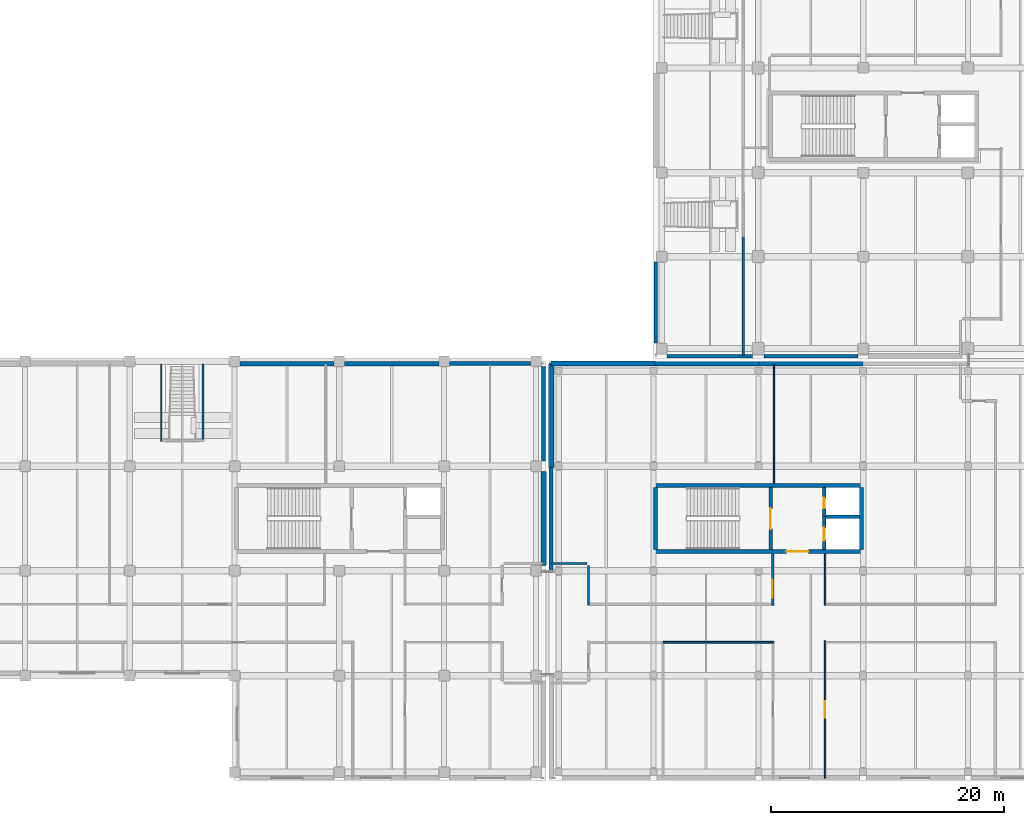
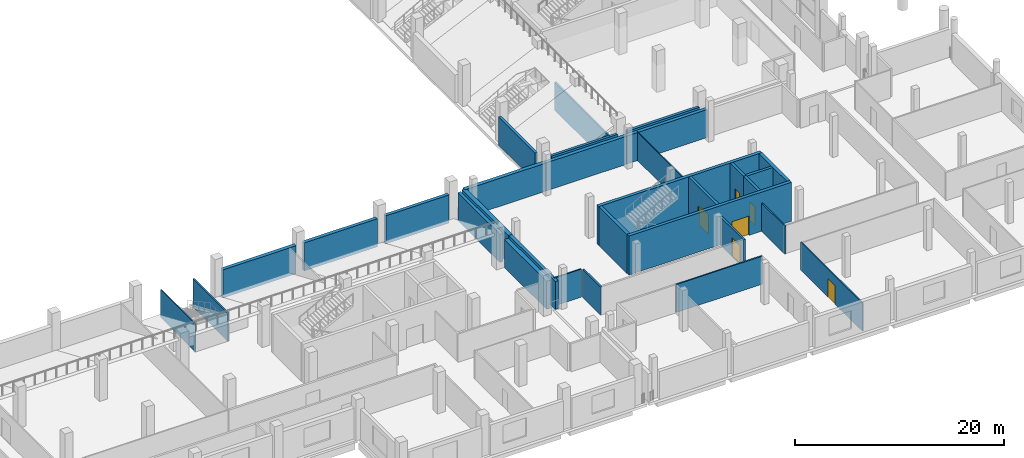
# One storey, part 61 of 100: 31 walls, 6 doors, 6 openings.
"""IFC4 building model written with IfcOpenShell, lengths in metres."""

from ifc_helpers import new_model, si_unit, direction, frame, frame_2d, origin, place, context, subcontext, project, spatial, rectangle, extrude, material, layer, layer_set, type_object, element, fill, save


model = new_model("IFC4")

# Units and contexts
model_context = context("Model", 3, precision=1e-05, world=origin(), true_north=direction((0.0, 1.0)))
body_context = subcontext(model_context, "Body", "Model", "MODEL_VIEW")
ifc_project = project(units=[si_unit("LENGTHUNIT", "METRE"), si_unit("AREAUNIT", "SQUARE_METRE"), si_unit("VOLUMEUNIT", "CUBIC_METRE"), si_unit("PLANEANGLEUNIT", "RADIAN"), si_unit("MASSUNIT", "GRAM", prefix="KILO"), si_unit("THERMODYNAMICTEMPERATUREUNIT", "KELVIN"), si_unit("POWERUNIT", "WATT")], contexts=[model_context])

# Site, building, storey
site_placement = place(None, origin())
site = spatial("IfcSite", under=ifc_project, at=site_placement, CompositionType="ELEMENT")
building_placement = place(site_placement, origin())
building = spatial("IfcBuilding", under=site, at=building_placement, Name="Sindhuravela Promenade Stadium", CompositionType="ELEMENT")
storey_placement = place(building_placement, frame((0.0, 0.0, 4.800048828125)))
storey = spatial("IfcBuildingStorey", under=building, at=storey_placement, Name="L01", CompositionType="ELEMENT", Elevation=4.800048828125)

# Walls
ifc_material_1 = material(Name="Terracotta clay brick masonry (15 MPa)", Category="masonry")
ifc_layer_1 = layer(ifc_material_1, 0.340087890625)
ifc_layer_set_1 = layer_set([ifc_layer_1], Name="Terracotta clay brick masonry (15 MPa)")
wall_type_1 = type_object("IfcWallType", Name="EX-WL-BRK340", PredefinedType="SOLIDWALL", material=ifc_layer_set_1)
wall_1_placement = place(storey_placement, frame((161.550048828125, 35.544921875, 0.0), z_axis=(0.0, 0.0, 1.0), x_axis=(0.0, -1.0, 0.0)))
element("IfcWall", 1, at=wall_1_placement, inside=storey, type_object=wall_type_1, Name="Exterior masonry wall EW06 SOUTH L01", PredefinedType="SOLIDWALL", context=body_context, shape_type="SweptSolid", body=[
    extrude(rectangle(XDim=8.08984375, YDim=0.340087890625, at=frame_2d((4.044921875, 0.0))), origin(), (0.0, 0.0, 1.0), 3.280029296875),
])
wall_2_placement = place(storey_placement, frame((162.199951171875, 18.0, 0.0), z_axis=(0.0, 0.0, 1.0), x_axis=(0.0, 1.0, 0.0)))
element("IfcWall", 2, at=wall_2_placement, inside=storey, type_object=wall_type_1, Name="Exterior masonry wall EW06 Pavilion SE L01", PredefinedType="SOLIDWALL", context=body_context, shape_type="SweptSolid", body=[
    extrude(rectangle(XDim=8.89990234375, YDim=0.340087890625, at=frame_2d((4.449951171875, 0.0))), origin(), (0.0, 0.0, 1.0), 3.280029296875),
])
ifc_layer_2 = layer(ifc_material_1, 0.360107421875)
ifc_layer_set_2 = layer_set([ifc_layer_2], Name="Terracotta clay brick masonry (15 MPa)")
wall_type_2 = type_object("IfcWallType", Name="EX-WL-BRK360", PredefinedType="SOLIDWALL", material=ifc_layer_set_2)
wall_3_placement = place(storey_placement, frame((153.455078125, 35.800048828125, 0.0), z_axis=(0.0, 0.0, 1.0), x_axis=(1.0, 0.0, 0.0)))
element("IfcWall", 3, at=wall_3_placement, inside=storey, type_object=wall_type_2, Name="Exterior masonry wall EW05 SOUTH L01", PredefinedType="SOLIDWALL", context=body_context, shape_type="SweptSolid", body=[
    extrude(rectangle(XDim=6.989990234375, YDim=0.360107421875, at=frame_2d((3.4951171875, 0.0))), origin(), (0.0, 0.0, 1.0), 3.280029296875),
])
ifc_layer_3 = layer(ifc_material_1, 0.3798828125)
ifc_layer_set_3 = layer_set([ifc_layer_3], Name="Terracotta clay brick masonry (15 MPa)")
wall_type_3 = type_object("IfcWallType", Name="EX-WL-BRK380", PredefinedType="SOLIDWALL", material=ifc_layer_set_3)
wall_4_placement = place(storey_placement, frame((144.455078125, 35.800048828125, 0.0), z_axis=(0.0, 0.0, 1.0), x_axis=(1.0, 0.0, 0.0)))
element("IfcWall", 4, at=wall_4_placement, inside=storey, type_object=wall_type_3, Name="Exterior masonry wall EW04 SOUTH L01", PredefinedType="SOLIDWALL", context=body_context, shape_type="SweptSolid", body=[
    extrude(rectangle(XDim=8.08984375, YDim=0.3798828125, at=frame_2d((4.044921875, 0.0))), origin(), (0.0, 0.0, 1.0), 3.280029296875),
])
wall_5_placement = place(storey_placement, frame((180.066650390625, 35.800048828125, 0.0), z_axis=(0.0, 0.0, 1.0), x_axis=(1.0, 0.0, 0.0)))
element("IfcWall", 5, at=wall_5_placement, inside=storey, type_object=wall_type_3, Name="Exterior masonry wall EW04 Pavilion SE L01", PredefinedType="SOLIDWALL", context=body_context, shape_type="SweptSolid", body=[
    extrude(rectangle(XDim=8.933349609375, YDim=0.3798828125, at=frame_2d((4.466796875, 0.0))), origin(), (0.0, 0.0, 1.0), 3.280029296875),
])
ifc_layer_4 = layer(ifc_material_1, 0.39990234375)
ifc_layer_set_4 = layer_set([ifc_layer_4], Name="Terracotta clay brick masonry (15 MPa)")
wall_type_4 = type_object("IfcWallType", Name="EX-WL-BRK400", PredefinedType="SOLIDWALL", material=ifc_layer_set_4)
wall_6_placement = place(storey_placement, frame((135.455078125, 35.800048828125, 0.0), z_axis=(0.0, 0.0, 1.0), x_axis=(1.0, 0.0, 0.0)))
element("IfcWall", 6, at=wall_6_placement, inside=storey, type_object=wall_type_4, Name="Exterior masonry wall EW03 SOUTH L01", PredefinedType="SOLIDWALL", context=body_context, shape_type="SweptSolid", body=[
    extrude(rectangle(XDim=8.08984375, YDim=0.39990234375, at=frame_2d((4.044921875, 0.0))), origin(), (0.0, 0.0, 1.0), 3.280029296875),
])
wall_7_placement = place(storey_placement, frame((171.13330078125, 35.800048828125, 0.0), z_axis=(0.0, 0.0, 1.0), x_axis=(1.0, 0.0, 0.0)))
element("IfcWall", 7, at=wall_7_placement, inside=storey, type_object=wall_type_4, Name="Exterior masonry wall EW03 Pavilion SE L01", PredefinedType="SOLIDWALL", context=body_context, shape_type="SweptSolid", body=[
    extrude(rectangle(XDim=8.933349609375, YDim=0.39990234375, at=frame_2d((4.466796875, 0.0))), origin(), (0.0, 0.0, 1.0), 3.280029296875),
])
ifc_layer_5 = layer(ifc_material_1, 0.419921875)
ifc_layer_set_5 = layer_set([ifc_layer_5], Name="Terracotta clay brick masonry (15 MPa)")
wall_type_5 = type_object("IfcWallType", Name="EX-WL-BRK420", PredefinedType="SOLIDWALL", material=ifc_layer_set_5)
wall_8_placement = place(storey_placement, frame((162.199951171875, 35.800048828125, 0.0), z_axis=(0.0, 0.0, 1.0), x_axis=(1.0, 0.0, 0.0)))
element("IfcWall", 8, at=wall_8_placement, inside=storey, type_object=wall_type_5, Name="Exterior masonry wall EW02 Pavilion SE L01", PredefinedType="SOLIDWALL", context=body_context, shape_type="SweptSolid", body=[
    extrude(rectangle(XDim=8.933349609375, YDim=0.419921875, at=frame_2d((4.466796875, 0.0))), origin(), (0.0, 0.0, 1.0), 3.280029296875),
])
ifc_layer_6 = layer(ifc_material_1, 0.4599609375)
ifc_layer_set_6 = layer_set([ifc_layer_6], Name="Terracotta clay brick masonry (15 MPa)")
wall_type_6 = type_object("IfcWallType", Name="EX-WL-BRK460", PredefinedType="SOLIDWALL", material=ifc_layer_set_6)
wall_9_placement = place(storey_placement, frame((161.550048828125, 26.544921875, 0.0), z_axis=(0.0, 0.0, 1.0), x_axis=(0.0, -1.0, 0.0)))
element("IfcWall", 9, at=wall_9_placement, inside=storey, type_object=wall_type_6, Name="Exterior masonry wall EW01 SOUTH L01", PredefinedType="SOLIDWALL", context=body_context, shape_type="SweptSolid", body=[
    extrude(rectangle(XDim=8.08984375, YDim=0.4599609375, at=frame_2d((4.044921875, 0.0))), origin(), (0.0, 0.0, 1.0), 3.280029296875),
])
wall_10_placement = place(storey_placement, frame((162.199951171875, 26.89990234375, 0.0), z_axis=(0.0, 0.0, 1.0), x_axis=(0.0, 1.0, 0.0)))
element("IfcWall", 10, at=wall_10_placement, inside=storey, type_object=wall_type_6, Name="Exterior masonry wall EW01 Pavilion SE L01", PredefinedType="SOLIDWALL", context=body_context, shape_type="SweptSolid", body=[
    extrude(rectangle(XDim=8.900146484375, YDim=0.4599609375, at=frame_2d((4.4501953125, 0.0))), origin(), (0.0, 0.0, 1.0), 3.280029296875),
])
ifc_material_2 = material(Name="Dholpur sandstone ashlar (45 MPa)", Category="masonry")
ifc_layer_7 = layer(ifc_material_2, 0.2900390625)
ifc_layer_set_7 = layer_set([ifc_layer_7], Name="Dholpur sandstone ashlar (45 MPa)")
wall_type_7 = type_object("IfcWallType", Name="EX-WL-SND290", PredefinedType="SOLIDWALL", material=ifc_layer_set_7)
wall_11_placement = place(storey_placement, frame((171.199951171875, 37.554931640625, 0.0), z_axis=(0.0, 0.0, 1.0), x_axis=(0.0, 1.0, 0.0)))
element("IfcWall", 11, at=wall_11_placement, inside=storey, type_object=wall_type_7, Name="Exterior masonry wall EW10 EAST L01", PredefinedType="SOLIDWALL", context=body_context, shape_type="SweptSolid", body=[
    extrude(rectangle(XDim=6.989990234375, YDim=0.2900390625, at=frame_2d((3.4951171875, 0.0))), origin(), (0.0, 0.0, 1.0), 3.280029296875),
])
wall_12_placement = place(storey_placement, frame((179.4951171875, 36.449951171875, 0.0), z_axis=(0.0, 0.0, 1.0), x_axis=(-1.0, 0.0, 0.0)))
element("IfcWall", 12, at=wall_12_placement, inside=storey, type_object=wall_type_7, Name="Exterior masonry wall EW10 EAST L01", PredefinedType="SOLIDWALL", context=body_context, shape_type="SweptSolid", body=[
    extrude(rectangle(XDim=7.340087890625, YDim=0.2900390625, at=frame_2d((3.669921875, 0.0))), origin(), (0.0, 0.0, 1.0), 3.280029296875),
])
ifc_layer_8 = layer(ifc_material_2, 0.31005859375)
ifc_layer_set_8 = layer_set([ifc_layer_8], Name="Dholpur sandstone ashlar (45 MPa)")
wall_type_8 = type_object("IfcWallType", Name="EX-WL-SND310", PredefinedType="SOLIDWALL", material=ifc_layer_set_8)
wall_13_placement = place(storey_placement, frame((188.544921875, 36.449951171875, 0.0), z_axis=(0.0, 0.0, 1.0), x_axis=(-1.0, 0.0, 0.0)))
element("IfcWall", 13, at=wall_13_placement, inside=storey, type_object=wall_type_8, Name="Exterior masonry wall EW09 EAST L01", PredefinedType="SOLIDWALL", context=body_context, shape_type="SweptSolid", body=[
    extrude(rectangle(XDim=8.0400390625, YDim=0.31005859375, at=frame_2d((4.02001953125, 0.0))), origin(), (0.0, 0.0, 1.0), 3.280029296875),
])
ifc_material_3 = material(Name="Fire-rated gypsum partition board", Category="gypsum")
ifc_layer_9 = layer(ifc_material_3, 0.110107421875)
ifc_layer_set_9 = layer_set([ifc_layer_9], Name="Fire-rated gypsum partition board")
wall_type_9 = type_object("IfcWallType", Name="IN-WL-PAR110", PredefinedType="PARTITIONING", material=ifc_layer_set_9)
wall_14_placement = place(storey_placement, frame((128.699951171875, 35.760009765625, 0.0), z_axis=(0.0, 0.0, 1.0), x_axis=(0.0, -1.0, 0.0)))
element("IfcWall", 14, at=wall_14_placement, inside=storey, type_object=wall_type_9, Name="Interior partition IW06 SOUTH L01", PredefinedType="PARTITIONING", context=body_context, shape_type="SweptSolid", body=[
    extrude(rectangle(XDim=6.639892578125, YDim=0.110107421875, at=frame_2d((3.31982421875, 0.0))), origin(), (0.0, 0.0, 1.0), 3.280029296875),
])
wall_15_placement = place(storey_placement, frame((181.340087890625, 25.527099609375, 0.0), z_axis=(0.0, 0.0, 1.0), x_axis=(0.0, 1.0, 0.0)))
element("IfcWall", 15, at=wall_15_placement, inside=storey, type_object=wall_type_9, Name="Interior partition IW06 Pavilion SE L01", PredefinedType="PARTITIONING", context=body_context, shape_type="SweptSolid", body=[
    extrude(rectangle(XDim=10.23291015625, YDim=0.110107421875, at=frame_2d((5.116455078125, 0.0))), origin(), (0.0, 0.0, 1.0), 3.280029296875),
])
ifc_layer_10 = layer(ifc_material_3, 0.1298828125)
ifc_layer_set_10 = layer_set([ifc_layer_10], Name="Fire-rated gypsum partition board")
wall_type_10 = type_object("IfcWallType", Name="IN-WL-PAR130", PredefinedType="PARTITIONING", material=ifc_layer_set_10)
wall_16_placement = place(storey_placement, frame((185.739990234375, 15.06005859375, 0.0), z_axis=(0.0, 0.0, 1.0), x_axis=(0.0, 1.0, 0.0)))
element("IfcWall", 16, at=wall_16_placement, inside=storey, type_object=wall_type_10, Name="Interior partition IW05 Pavilion SE L01", PredefinedType="PARTITIONING", context=body_context, shape_type="SweptSolid", body=[
    extrude(rectangle(XDim=4.412841796875, YDim=0.1298828125, at=frame_2d((2.20654296875, 0.0))), origin(), (0.0, 0.0, 1.0), 3.280029296875),
])

# Wall, opening, door
wall_17_placement = place(storey_placement, frame((185.739990234375, 11.97998046875, 0.0), z_axis=(0.0, 0.0, 1.0), x_axis=(0.0, -1.0, 0.0)))
wall_17 = element("IfcWall", 17, at=wall_17_placement, inside=storey, type_object=wall_type_10, Name="Corridor partition IW05 Refreshment Counter SE L01", PredefinedType="PARTITIONING", context=body_context, shape_type="SweptSolid", body=[
    extrude(rectangle(XDim=11.780029296875, YDim=0.1298828125, at=frame_2d((5.89013671875, 0.0))), origin(), (0.0, 0.0, 1.0), 3.280029296875),
])
opening_1_placement = place(wall_17_placement, frame((5.18994140625, 0.0, 0.0)))
opening_1 = element("IfcOpeningElement", 18, at=opening_1_placement, cuts=wall_17, Name="Opening ID03", PredefinedType="OPENING", context=body_context, shape_type="SweptSolid", body=[
    extrude(rectangle(XDim=1.39990234375, YDim=2.14990234375, at=frame_2d((0.699951171875, 1.074951171875))), frame((0.0, 0.074951171875, 0.0), z_axis=(0.0, -1.0, 0.0), x_axis=(1.0, 0.0, 0.0)), (0.0, 0.0, 1.0), 0.14990234375),
])
ifc_material_4 = material(Name="Architectural teak timber leaf", Category="wood")
door_type_1 = type_object("IfcDoorType", Name="DR-INT-1400x2150", OperationType="DOUBLE_DOOR_SINGLE_SWING", PredefinedType="DOOR", material=ifc_material_4)
door_1_placement = place(opening_1_placement, origin())
door_1 = element("IfcDoor", 19, at=door_1_placement, inside=storey, type_object=door_type_1, Name="Refreshment Counter SE L01 door", OperationType="DOUBLE_DOOR_SINGLE_SWING", OverallHeight=2.14990234375, OverallWidth=1.39990234375, PredefinedType="DOOR", context=body_context, shape_type="SweptSolid", body=[
    extrude(rectangle(XDim=1.39990234375, YDim=2.14990234375, at=frame_2d((0.699951171875, 1.074951171875))), frame((0.0, 0.02490234375, 0.0), z_axis=(0.0, -1.0, 0.0), x_axis=(1.0, 0.0, 0.0)), (0.0, 0.0, 1.0), 0.050048828125),
])
fill(opening_1, door_1)

# Walls
ifc_layer_11 = layer(ifc_material_3, 0.14990234375)
ifc_layer_set_11 = layer_set([ifc_layer_11], Name="Fire-rated gypsum partition board")
wall_type_11 = type_object("IfcWallType", Name="IN-WL-PAR150", PredefinedType="PARTITIONING", material=ifc_layer_set_11)
wall_18_placement = place(storey_placement, frame((165.25, 18.639892578125, 0.0), z_axis=(0.0, 0.0, 1.0), x_axis=(-1.0, 0.0, 0.0)))
element("IfcWall", 20, at=wall_18_placement, inside=storey, type_object=wall_type_11, Name="Interior partition IW04 Pavilion SE L01", PredefinedType="PARTITIONING", context=body_context, shape_type="SweptSolid", body=[
    extrude(rectangle(XDim=3.010009765625, YDim=0.14990234375, at=frame_2d((1.5048828125, 0.0))), origin(), (0.0, 0.0, 1.0), 3.280029296875),
])
wall_19_placement = place(storey_placement, frame((171.830078125, 11.860107421875, 0.0), z_axis=(0.0, 0.0, 1.0), x_axis=(1.0, 0.0, 0.0)))
element("IfcWall", 21, at=wall_19_placement, inside=storey, type_object=wall_type_11, Name="Interior partition IW04 Pavilion SE L01", PredefinedType="PARTITIONING", context=body_context, shape_type="SweptSolid", body=[
    extrude(rectangle(XDim=9.510009765625, YDim=0.14990234375, at=frame_2d((4.7548828125, 0.0))), origin(), (0.0, 0.0, 1.0), 3.280029296875),
])
ifc_layer_12 = layer(ifc_material_3, 0.175048828125)
ifc_layer_set_12 = layer_set([ifc_layer_12], Name="Fire-rated gypsum partition board")
wall_type_12 = type_object("IfcWallType", Name="IN-WL-PAR175", PredefinedType="PARTITIONING", material=ifc_layer_set_12)
wall_20_placement = place(storey_placement, frame((178.699951171875, 36.489990234375, 0.0), z_axis=(0.0, 0.0, 1.0), x_axis=(0.0, 1.0, 0.0)))
element("IfcWall", 22, at=wall_20_placement, inside=storey, type_object=wall_type_12, Name="Interior partition IW03 EAST L01", PredefinedType="PARTITIONING", context=body_context, shape_type="SweptSolid", body=[
    extrude(rectangle(XDim=10.389892578125, YDim=0.175048828125, at=frame_2d((5.19482421875, 0.0))), origin(), (0.0, 0.0, 1.0), 3.280029296875),
])
wall_21_placement = place(storey_placement, frame((132.300048828125, 29.1201171875, 0.0), z_axis=(0.0, 0.0, 1.0), x_axis=(0.0, 1.0, 0.0)))
element("IfcWall", 23, at=wall_21_placement, inside=storey, type_object=wall_type_12, Name="Interior partition IW03 SOUTH L01", PredefinedType="PARTITIONING", context=body_context, shape_type="SweptSolid", body=[
    extrude(rectangle(XDim=6.639892578125, YDim=0.175048828125, at=frame_2d((3.31982421875, 0.0))), origin(), (0.0, 0.0, 1.0), 3.280029296875),
])
wall_22_placement = place(storey_placement, frame((165.409912109375, 15.06005859375, 0.0), z_axis=(0.0, 0.0, 1.0), x_axis=(0.0, 1.0, 0.0)))
element("IfcWall", 24, at=wall_22_placement, inside=storey, type_object=wall_type_12, Name="Interior partition IW03 Pavilion SE L01", PredefinedType="PARTITIONING", context=body_context, shape_type="SweptSolid", body=[
    extrude(rectangle(XDim=3.419921875, YDim=0.175048828125, at=frame_2d((1.7099609375, 0.0))), origin(), (0.0, 0.0, 1.0), 3.280029296875),
])

# Wall, opening, door
ifc_layer_13 = layer(ifc_material_3, 0.219970703125)
ifc_layer_set_13 = layer_set([ifc_layer_13], Name="Fire-rated gypsum partition board")
wall_type_13 = type_object("IfcWallType", Name="IN-WL-PAR220", PredefinedType="PARTITIONING", material=ifc_layer_set_13)
wall_23_placement = place(storey_placement, frame((181.219970703125, 15.02001953125, 0.0), z_axis=(0.0, 0.0, 1.0), x_axis=(0.0, 1.0, 0.0)))
wall_23 = element("IfcWall", 25, at=wall_23_placement, inside=storey, type_object=wall_type_13, Name="Corridor partition IW01 Supporters Information Lounge SE", PredefinedType="PARTITIONING", context=body_context, shape_type="SweptSolid", body=[
    extrude(rectangle(XDim=4.452880859375, YDim=0.219970703125, at=frame_2d((2.2265625, 0.0))), origin(), (0.0, 0.0, 1.0), 3.280029296875),
])
opening_2_placement = place(wall_23_placement, frame((0.67626953125, 0.0, 0.0)))
opening_2 = element("IfcOpeningElement", 26, at=opening_2_placement, cuts=wall_23, Name="Opening ID02", PredefinedType="OPENING", context=body_context, shape_type="SweptSolid", body=[
    extrude(rectangle(XDim=1.550048828125, YDim=2.199951171875, at=frame_2d((0.77490234375, 1.10009765625))), frame((0.0, 0.119873046875, 0.0), z_axis=(0.0, -1.0, 0.0), x_axis=(1.0, 0.0, 0.0)), (0.0, 0.0, 1.0), 0.239990234375),
])
door_type_2 = type_object("IfcDoorType", Name="DR-INT-1550x2200", OperationType="DOUBLE_DOOR_SINGLE_SWING", PredefinedType="DOOR", material=ifc_material_4)
door_2_placement = place(opening_2_placement, origin())
door_2 = element("IfcDoor", 27, at=door_2_placement, inside=storey, type_object=door_type_2, Name="Supporters Information Lounge SE door", OperationType="DOUBLE_DOOR_SINGLE_SWING", OverallHeight=2.199951171875, OverallWidth=1.550048828125, PredefinedType="DOOR", context=body_context, shape_type="SweptSolid", body=[
    extrude(rectangle(XDim=1.550048828125, YDim=2.199951171875, at=frame_2d((0.77490234375, 1.10009765625))), frame((0.0, 0.02490234375, 0.0), z_axis=(0.0, -1.0, 0.0), x_axis=(1.0, 0.0, 0.0)), (0.0, 0.0, 1.0), 0.050048828125),
])
fill(opening_2, door_2)

ifc_material_5 = material(Name="Concrete M50", Category="concrete")
ifc_layer_14 = layer(ifc_material_5, 0.300048828125)
ifc_layer_set_14 = layer_set([ifc_layer_14], Name="Concrete M50")
wall_type_14 = type_object("IfcWallType", Name="RC-SW-300", PredefinedType="SHEAR", material=ifc_layer_set_14)
wall_24_placement = place(storey_placement, frame((181.050048828125, 19.824951171875, 0.0), z_axis=(0.0, 0.0, 1.0), x_axis=(0.0, 1.0, 0.0)))
wall_24 = element("IfcWall", 28, at=wall_24_placement, inside=storey, type_object=wall_type_14, Name="Core shear wall C14-ST (L01)", PredefinedType="SHEAR", context=body_context, shape_type="SweptSolid", body=[
    extrude(rectangle(XDim=5.35009765625, YDim=0.300048828125, at=frame_2d((2.675048828125, 0.0))), origin(), (0.0, 0.0, 1.0), 4.56494140625),
])
opening_3_placement = place(wall_24_placement, frame((1.75, 0.0, 0.0)))
opening_3 = element("IfcOpeningElement", 29, at=opening_3_placement, cuts=wall_24, Name="Opening FD01", PredefinedType="OPENING", context=body_context, shape_type="SweptSolid", body=[
    extrude(rectangle(XDim=1.800048828125, YDim=2.25, at=frame_2d((0.89990234375, 1.125))), frame((0.0, 0.159912109375, 0.0), z_axis=(0.0, -1.0, 0.0), x_axis=(1.0, 0.0, 0.0)), (0.0, 0.0, 1.0), 0.320068359375),
])
ifc_material_6 = material(Name="Architectural wrought steel E350", Category="steel")
door_type_3 = type_object("IfcDoorType", Name="DR-CORE-1800x2250", OperationType="DOUBLE_DOOR_SINGLE_SWING", PredefinedType="DOOR", material=ifc_material_6)
door_3_placement = place(opening_3_placement, origin())
door_3 = element("IfcDoor", 30, at=door_3_placement, inside=storey, type_object=door_type_3, Name="Stair GS02 lobby fire door (L01)", OperationType="DOUBLE_DOOR_SINGLE_SWING", OverallHeight=2.25, OverallWidth=1.800048828125, PredefinedType="DOOR", context=body_context, shape_type="SweptSolid", body=[
    extrude(rectangle(XDim=1.800048828125, YDim=2.25, at=frame_2d((0.89990234375, 1.125))), frame((0.0, 0.02490234375, 0.0), z_axis=(0.0, -1.0, 0.0), x_axis=(1.0, 0.0, 0.0)), (0.0, 0.0, 1.0), 0.050048828125),
])
fill(opening_3, door_3)

wall_25_placement = place(storey_placement, frame((185.64990234375, 19.824951171875, 0.0), z_axis=(0.0, 0.0, 1.0), x_axis=(0.0, 1.0, 0.0)))
wall_25 = element("IfcWall", 31, at=wall_25_placement, inside=storey, type_object=wall_type_14, Name="Core shear wall C14-LFT (L01)", PredefinedType="SHEAR", context=body_context, shape_type="SweptSolid", body=[
    extrude(rectangle(XDim=2.824951171875, YDim=0.300048828125, at=frame_2d((1.41259765625, 0.0))), origin(), (0.0, 0.0, 1.0), 4.56494140625),
])
opening_4_placement = place(wall_25_placement, frame((0.77490234375, 0.0, 0.0)))
opening_4 = element("IfcOpeningElement", 32, at=opening_4_placement, cuts=wall_25, Name="Opening LD", PredefinedType="OPENING", context=body_context, shape_type="SweptSolid", body=[
    extrude(rectangle(XDim=1.10009765625, YDim=2.10009765625, at=frame_2d((0.550048828125, 1.050048828125))), frame((0.0, 0.159912109375, 0.0), z_axis=(0.0, -1.0, 0.0), x_axis=(1.0, 0.0, 0.0)), (0.0, 0.0, 1.0), 0.320068359375),
])
door_type_4 = type_object("IfcDoorType", Name="DR-LFT-1100x2100", OperationType="DOUBLE_DOOR_SLIDING", PredefinedType="DOOR", material=ifc_material_6)
door_4_placement = place(opening_4_placement, origin())
door_4 = element("IfcDoor", 33, at=door_4_placement, inside=storey, type_object=door_type_4, Name="Lift PL06 landing door (L01)", OperationType="DOUBLE_DOOR_SLIDING", OverallHeight=2.10009765625, OverallWidth=1.10009765625, PredefinedType="DOOR", context=body_context, shape_type="SweptSolid", body=[
    extrude(rectangle(XDim=1.10009765625, YDim=2.10009765625, at=frame_2d((0.550048828125, 1.050048828125))), frame((0.0, 0.02490234375, 0.0), z_axis=(0.0, -1.0, 0.0), x_axis=(1.0, 0.0, 0.0)), (0.0, 0.0, 1.0), 0.050048828125),
])
fill(opening_4, door_4)

wall_26_placement = place(storey_placement, frame((185.64990234375, 22.64990234375, 0.0), z_axis=(0.0, 0.0, 1.0), x_axis=(0.0, 1.0, 0.0)))
wall_26 = element("IfcWall", 34, at=wall_26_placement, inside=storey, type_object=wall_type_14, Name="Core shear wall C14-RSR (L01)", PredefinedType="SHEAR", context=body_context, shape_type="SweptSolid", body=[
    extrude(rectangle(XDim=2.525146484375, YDim=0.300048828125, at=frame_2d((1.2626953125, 0.0))), origin(), (0.0, 0.0, 1.0), 4.56494140625),
])
opening_5_placement = place(wall_26_placement, frame((0.72509765625, 0.0, 0.0)))
opening_5 = element("IfcOpeningElement", 35, at=opening_5_placement, cuts=wall_26, Name="Opening FD03", PredefinedType="OPENING", context=body_context, shape_type="SweptSolid", body=[
    extrude(rectangle(XDim=0.89990234375, YDim=2.10009765625, at=frame_2d((0.449951171875, 1.050048828125))), frame((0.0, 0.159912109375, 0.0), z_axis=(0.0, -1.0, 0.0), x_axis=(1.0, 0.0, 0.0)), (0.0, 0.0, 1.0), 0.320068359375),
])
door_type_5 = type_object("IfcDoorType", Name="DR-RSR-900x2100", OperationType="NOTDEFINED", PredefinedType="DOOR", material=ifc_material_6)
door_5_placement = place(opening_5_placement, origin())
door_5 = element("IfcDoor", 36, at=door_5_placement, inside=storey, type_object=door_type_5, Name="Riser shaft access door C14 (L01)", OperationType="SINGLE_SWING_RIGHT", OverallHeight=2.10009765625, OverallWidth=0.89990234375, PredefinedType="DOOR", context=body_context, shape_type="SweptSolid", body=[
    extrude(rectangle(XDim=0.89990234375, YDim=2.10009765625, at=frame_2d((0.449951171875, 1.050048828125))), frame((0.0, 0.02490234375, 0.0), z_axis=(0.0, -1.0, 0.0), x_axis=(1.0, 0.0, 0.0)), (0.0, 0.0, 1.0), 0.050048828125),
])
fill(opening_5, door_5)

# Wall
wall_27_placement = place(storey_placement, frame((185.800048828125, 22.64990234375, 0.0), z_axis=(0.0, 0.0, 1.0), x_axis=(1.0, 0.0, 0.0)))
element("IfcWall", 37, at=wall_27_placement, inside=storey, type_object=wall_type_14, Name="Core shear wall C14-DIV (L01)", PredefinedType="SHEAR", context=body_context, shape_type="SweptSolid", body=[
    extrude(rectangle(XDim=2.875, YDim=0.300048828125, at=frame_2d((1.4375, 0.0))), origin(), (0.0, 0.0, 1.0), 4.56494140625),
])

# Wall, opening, door
ifc_layer_15 = layer(ifc_material_5, 0.35009765625)
ifc_layer_set_15 = layer_set([ifc_layer_15], Name="Concrete M50")
wall_type_15 = type_object("IfcWallType", Name="RC-SW-350", PredefinedType="SHEAR", material=ifc_layer_set_15)
wall_28_placement = place(storey_placement, frame((171.0, 19.64990234375, 0.0), z_axis=(0.0, 0.0, 1.0), x_axis=(1.0, 0.0, 0.0)))
wall_28 = element("IfcWall", 38, at=wall_28_placement, inside=storey, type_object=wall_type_15, Name="Core shear wall C14-S (L01)", PredefinedType="SHEAR", context=body_context, shape_type="SweptSolid", body=[
    extrude(rectangle(XDim=18.0, YDim=0.35009765625, at=frame_2d((9.0, 0.0))), origin(), (0.0, 0.0, 1.0), 4.56494140625),
])
opening_6_placement = place(wall_28_placement, frame((11.39990234375, 0.0, 0.0)))
opening_6 = element("IfcOpeningElement", 39, at=opening_6_placement, cuts=wall_28, Name="Opening FD02", PredefinedType="OPENING", context=body_context, shape_type="SweptSolid", body=[
    extrude(rectangle(XDim=1.89990234375, YDim=2.25, at=frame_2d((0.949951171875, 1.125))), frame((0.0, 0.18505859375, 0.0), z_axis=(0.0, -1.0, 0.0), x_axis=(1.0, 0.0, 0.0)), (0.0, 0.0, 1.0), 0.3701171875),
])
door_type_6 = type_object("IfcDoorType", Name="DR-LOB-1900x2250", OperationType="DOUBLE_DOOR_SINGLE_SWING", PredefinedType="DOOR", material=ifc_material_6)
door_6_placement = place(opening_6_placement, origin())
door_6 = element("IfcDoor", 40, at=door_6_placement, inside=storey, type_object=door_type_6, Name="Protected lobby entrance door C14 (L01)", OperationType="DOUBLE_DOOR_SINGLE_SWING", OverallHeight=2.25, OverallWidth=1.89990234375, PredefinedType="DOOR", context=body_context, shape_type="SweptSolid", body=[
    extrude(rectangle(XDim=1.89990234375, YDim=2.25, at=frame_2d((0.949951171875, 1.125))), frame((0.0, 0.02490234375, 0.0), z_axis=(0.0, -1.0, 0.0), x_axis=(1.0, 0.0, 0.0)), (0.0, 0.0, 1.0), 0.050048828125),
])
fill(opening_6, door_6)

# Walls
wall_29_placement = place(storey_placement, frame((189.0, 25.35009765625, 0.0), z_axis=(0.0, 0.0, 1.0), x_axis=(-1.0, 0.0, 0.0)))
element("IfcWall", 41, at=wall_29_placement, inside=storey, type_object=wall_type_15, Name="Core shear wall C14-N (L01)", PredefinedType="SHEAR", context=body_context, shape_type="SweptSolid", body=[
    extrude(rectangle(XDim=18.0, YDim=0.35009765625, at=frame_2d((9.0, 0.0))), origin(), (0.0, 0.0, 1.0), 4.56494140625),
])
for number, where, z_axis, x_axis, name in (
    (42, (171.14990234375, 25.175048828125, 0.0), (0.0, 0.0, 1.0), (0.0, -1.0, 0.0), "Core shear wall C14-W (L01)"),
    (43, (188.85009765625, 19.824951171875, 0.0), (0.0, 0.0, 1.0), (0.0, 1.0, 0.0), "Core shear wall C14-E (L01)"),
):
    element("IfcWall", number, at=place(storey_placement, frame(where, z_axis=z_axis, x_axis=x_axis)), inside=storey, type_object=wall_type_15, Name=name, PredefinedType="SHEAR", context=body_context, shape_type="SweptSolid", body=[
        extrude(rectangle(XDim=5.35009765625, YDim=0.35009765625, at=frame_2d((2.675048828125, 0.0))), origin(), (0.0, 0.0, 1.0), 4.56494140625),
    ])

save(model, "model.ifc")
